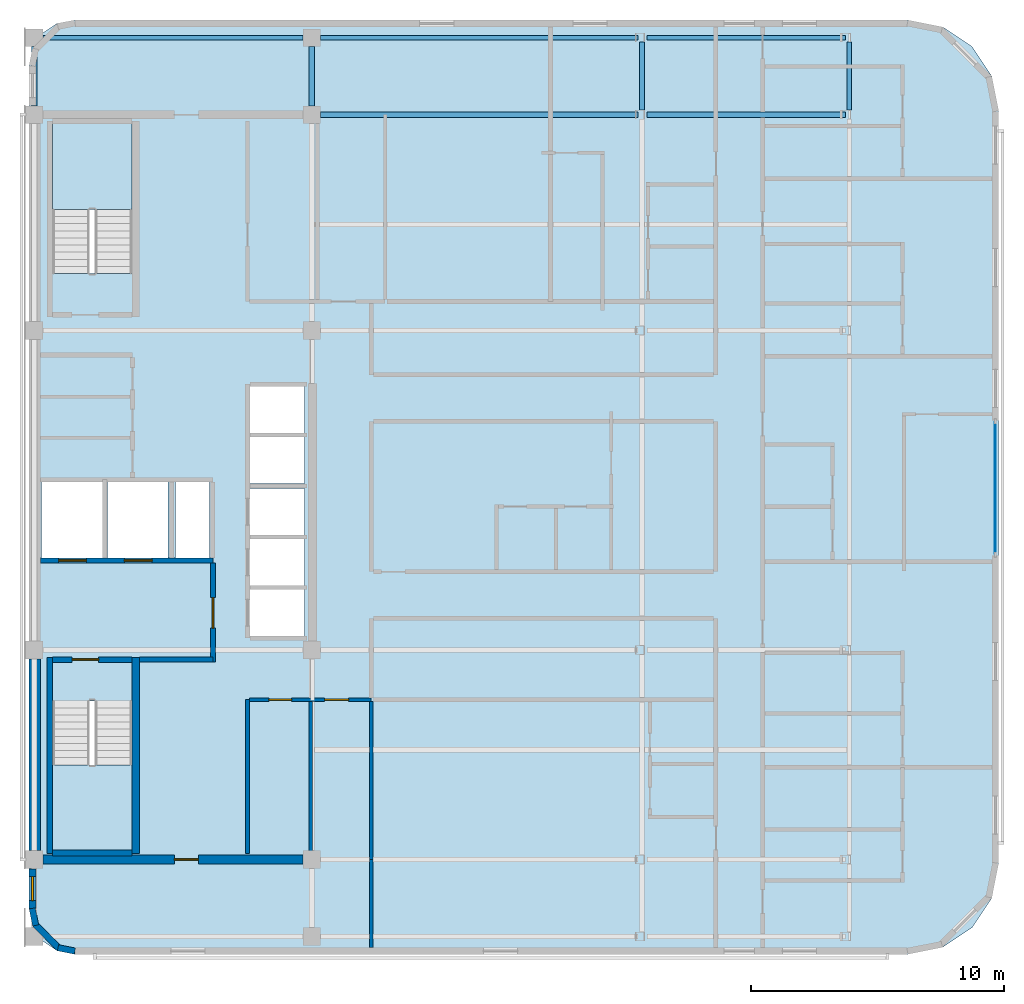
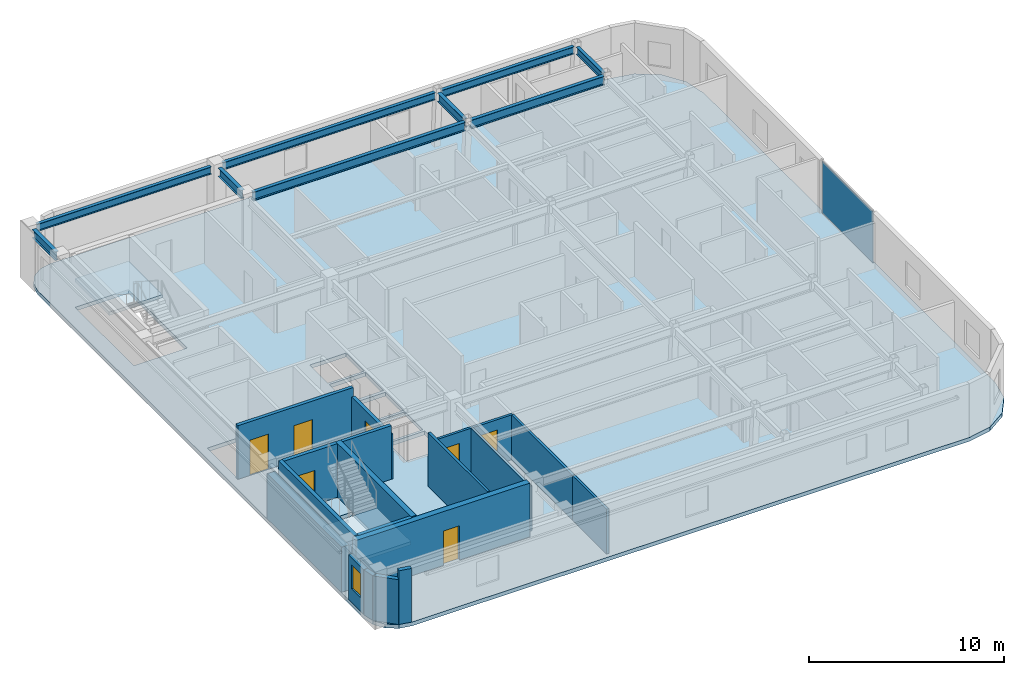
# One storey, part 3 of 10: 18 walls, 9 beams, 7 doors, 3 slabs, 1 plate, 1 window, 8 openings, 3 elements without a shape of their own.
"""IFC4 building model written with IfcOpenShell, lengths in metres."""

import ifcopenshell
import ifcopenshell.guid

model = None  # the IFC model being written
_history = None  # IfcOwnerHistory: only IFC2X3 demands one
_inside = {}  # id of a spatial element -> (the spatial element, [elements in it])
_under = {}  # id of a project, library or spatial element -> (it, [spatial elements below it])
_declared = {}  # id of a project -> (the project, [libraries it declares])
_typed = {}  # id of a type object -> (the type object, [elements of that type])
_made_of = {}  # id of a material, layer set ... -> (it, [elements and type objects made of it])


def new_model(schema):
    """Start an empty IFC model of exactly this schema.

    Asked for "IFC4X3", IfcOpenShell would pick the latest addendum, in which some entities
    have other attributes; the version numbers below select the first issue.
    IFC2X3 requires an IfcOwnerHistory on every rooted entity: one is made here for all.
    """
    global model, _history
    if schema == "IFC4X3":
        model = ifcopenshell.file(schema_version=(4, 3, 0, 0))
    else:
        model = ifcopenshell.file(schema=schema)
    _inside.clear()
    _under.clear()
    _declared.clear()
    _typed.clear()
    _made_of.clear()
    _history = None
    if model.schema == "IFC2X3":
        org = make("IfcOrganization", Name="unknown")
        user = make(
            "IfcPersonAndOrganization",
            ThePerson=make("IfcPerson", FamilyName="unknown"),
            TheOrganization=org,
        )
        app = make(
            "IfcApplication",
            ApplicationDeveloper=org,
            Version="unknown",
            ApplicationFullName="unknown",
            ApplicationIdentifier="unknown",
        )
        _history = make(
            "IfcOwnerHistory",
            OwningUser=user,
            OwningApplication=app,
            ChangeAction="ADDED",
            CreationDate=0,
        )
    return model


def make(cls, **values):
    """One entity of the class cls with the attributes given. An attribute that is None is left unset."""
    return model.create_entity(
        cls, **{name: value for name, value in values.items() if value is not None}
    )


def rooted(cls, **values):
    """An entity with a GlobalId (a new one), such as an element, a storey or a relation."""
    return make(cls, GlobalId=ifcopenshell.guid.new(), OwnerHistory=_history, **values)


def si_unit(unit_type, name, prefix=None):
    """IfcSIUnit, for example si_unit("LENGTHUNIT", "METRE", prefix="MILLI")."""
    return make("IfcSIUnit", UnitType=unit_type, Prefix=prefix, Name=name)


def assignment(units):
    """IfcUnitAssignment: the units of a project."""
    return None if units is None else make("IfcUnitAssignment", Units=units)


def point(xyz):
    """IfcCartesianPoint."""
    return None if xyz is None else make("IfcCartesianPoint", Coordinates=xyz)


def direction(xyz):
    """IfcDirection."""
    return None if xyz is None else make("IfcDirection", DirectionRatios=xyz)


def frame(location, z_axis=None, x_axis=None):
    """IfcAxis2Placement3D, a coordinate frame: its origin and axes. An axis left out is left unset."""
    return make(
        "IfcAxis2Placement3D",
        Location=point(location),
        Axis=direction(z_axis),
        RefDirection=direction(x_axis),
    )


def frame_2d(location, x_axis=None):
    """IfcAxis2Placement2D, a coordinate frame in the plane: its origin and x axis."""
    return make(
        "IfcAxis2Placement2D", Location=point(location), RefDirection=direction(x_axis)
    )


def origin():
    """The frame at (0, 0, 0) with its axes left unset."""
    return frame((0.0, 0.0, 0.0))


def origin_2d():
    """The frame at (0, 0) in the plane with its x axis left unset."""
    return frame_2d((0.0, 0.0))


def place(relative_to, where):
    """IfcLocalPlacement: puts the frame where relative to a parent placement (None: the world)."""
    return make(
        "IfcLocalPlacement", PlacementRelTo=relative_to, RelativePlacement=where
    )


def context(
    kind, dimensions, precision=None, world=None, true_north=None, identifier=None
):
    """IfcGeometricRepresentationContext, for example the 3D "Model" context."""
    return make(
        "IfcGeometricRepresentationContext",
        ContextIdentifier=identifier,
        ContextType=kind,
        CoordinateSpaceDimension=dimensions,
        Precision=precision,
        WorldCoordinateSystem=world,
        TrueNorth=true_north,
    )


def subcontext(parent, identifier, kind, view, scale=None):
    """IfcGeometricRepresentationSubContext, for example "Body" below "Model"."""
    return make(
        "IfcGeometricRepresentationSubContext",
        ContextIdentifier=identifier,
        ContextType=kind,
        ParentContext=parent,
        TargetScale=scale,
        TargetView=view,
    )


def project(units=None, contexts=None):
    """IfcProject with its units and contexts."""
    return rooted(
        "IfcProject",
        Name="project",
        RepresentationContexts=contexts,
        UnitsInContext=assignment(units),
    )


def spatial(cls, under=None, at=None, **own):
    """A site, building, storey or space (cls), placed at a placement, below another one or the project."""
    s = rooted(cls, ObjectPlacement=at, **own)
    if under is not None:
        _under.setdefault(under.id(), (under, []))[1].append(s)
    return s


def polyline(points):
    """IfcPolyline through the points."""
    return make("IfcPolyline", Points=[point(p) for p in points])


def profile(cls, at=None, kind="AREA", **sizes):
    """A parametric profile (cls). Its sizes go by their IFC names, for example OverallWidth=200.0."""
    return make(cls, ProfileType=kind, Position=at, **sizes)


def rectangle(**sizes):
    """IfcRectangleProfileDef."""
    return profile("IfcRectangleProfileDef", **sizes)


def i_section(**sizes):
    """IfcIShapeProfileDef."""
    return profile("IfcIShapeProfileDef", **sizes)


def outline(outer, holes=None, kind="AREA"):
    """IfcArbitraryClosedProfileDef: a profile drawn as a closed curve; with holes, ...WithVoids."""
    if holes is None:
        return make("IfcArbitraryClosedProfileDef", ProfileType=kind, OuterCurve=outer)
    return make(
        "IfcArbitraryProfileDefWithVoids",
        ProfileType=kind,
        OuterCurve=outer,
        InnerCurves=holes,
    )


def extrude(swept, where, along, depth):
    """IfcExtrudedAreaSolid: the profile swept, set in the frame where, extruded along a direction by depth."""
    return make(
        "IfcExtrudedAreaSolid",
        SweptArea=swept,
        Position=where,
        ExtrudedDirection=direction(along),
        Depth=depth,
    )


def shape(context_of_items, identifier, shape_type, items):
    """IfcShapeRepresentation: the items that make up one representation, for example the "Body"."""
    return make(
        "IfcShapeRepresentation",
        ContextOfItems=context_of_items,
        RepresentationIdentifier=identifier,
        RepresentationType=shape_type,
        Items=items,
    )


def material(Name=None, Category=None):
    """IfcMaterial."""
    return make("IfcMaterial", Name=Name, Category=Category)


def layer(
    of_material, thickness, ventilated=None, Name=None, Category=None, Priority=None
):
    """IfcMaterialLayer: one layer of a wall or slab, of a material (None: an air gap)."""
    return make(
        "IfcMaterialLayer",
        Material=of_material,
        LayerThickness=thickness,
        IsVentilated=ventilated,
        Name=Name,
        Category=Category,
        Priority=Priority,
    )


def layer_set(layers, Name=None):
    """IfcMaterialLayerSet."""
    return make("IfcMaterialLayerSet", MaterialLayers=layers, LayerSetName=Name)


def material_profile(
    of_material, cross_section, Name=None, Category=None, Priority=None
):
    """IfcMaterialProfile: a cross section and its material."""
    return make(
        "IfcMaterialProfile",
        Name=Name,
        Material=of_material,
        Profile=cross_section,
        Priority=Priority,
        Category=Category,
    )


def profile_set(profiles, Name=None, composite=None):
    """IfcMaterialProfileSet."""
    return make(
        "IfcMaterialProfileSet",
        Name=Name,
        MaterialProfiles=profiles,
        CompositeProfile=composite,
    )


def made_of(thing, what):
    """Note that an element or type object is made of a material, layer set ...; save() writes the relation."""
    if what is not None:
        _made_of.setdefault(what.id(), (what, []))[1].append(thing)
    return thing


def type_object(cls, material=None, **own):
    """A type object (cls), such as IfcWallType, which elements share."""
    return made_of(rooted(cls, **own), material)


def element(
    cls,
    number,
    at=None,
    inside=None,
    cuts=None,
    type_object=None,
    material=None,
    context=None,
    identifier="Body",
    shape_type=None,
    held_by="IfcProductDefinitionShape",
    body=None,
    shapes=None,
    **own,
):
    """One element of the class cls, such as IfcWall. Its Tag is "e" and its number.

    at: its placement. inside: the storey or other place that contains it. cuts: it is an
    opening in that element (IfcRelVoidsElement). A single representation is given by context,
    identifier, shape_type and body (its items); several are given by shapes. held_by: the class
    of the entity that holds the representations. save() writes the other relations.
    """
    e = rooted(cls, Tag="e%d" % number, ObjectPlacement=at, **own)
    if body is not None:
        shapes = [shape(context, identifier, shape_type, body)]
    if shapes is not None:
        e.Representation = make(held_by, Representations=shapes)
    if inside is not None:
        _inside.setdefault(inside.id(), (inside, []))[1].append(e)
    if cuts is not None:
        rooted(
            "IfcRelVoidsElement", RelatingBuildingElement=cuts, RelatedOpeningElement=e
        )
    if type_object is not None:
        _typed.setdefault(type_object.id(), (type_object, []))[1].append(e)
    return made_of(e, material)


def fill(opening, filler):
    """IfcRelFillsElement: the door or window that sits in an opening."""
    return rooted(
        "IfcRelFillsElement",
        RelatingOpeningElement=opening,
        RelatedBuildingElement=filler,
    )


def aggregate(whole, parts):
    """IfcRelAggregates: a whole, such as a stair, and the parts it consists of."""
    return rooted("IfcRelAggregates", RelatingObject=whole, RelatedObjects=parts)


def save(model, path):
    """Write the relations noted so far, then the file.

    IfcRelAggregates (storeys below a building ...), IfcRelContainedInSpatialStructure (elements
    in a storey), IfcRelDefinesByType, IfcRelAssociatesMaterial and IfcRelDeclares: one each for
    every whole, place, type object, material and project.
    """
    for whole, parts in _under.values():
        aggregate(whole, parts)
    for where, things in _inside.values():
        rooted(
            "IfcRelContainedInSpatialStructure",
            RelatedElements=things,
            RelatingStructure=where,
        )
    for kind, things in _typed.values():
        rooted("IfcRelDefinesByType", RelatedObjects=things, RelatingType=kind)
    for what, things in _made_of.values():
        rooted("IfcRelAssociatesMaterial", RelatedObjects=things, RelatingMaterial=what)
    for by, libraries in _declared.values():
        rooted("IfcRelDeclares", RelatingContext=by, RelatedDefinitions=libraries)
    model.write(path)


model = new_model("IFC4")

# Units and contexts
model_context = context("Model", 3, precision=1e-05, world=origin(), true_north=direction((0.0, 1.0)))
body_context = subcontext(model_context, "Body", "Model", "MODEL_VIEW")
ifc_project = project(units=[si_unit("LENGTHUNIT", "METRE"), si_unit("AREAUNIT", "SQUARE_METRE"), si_unit("VOLUMEUNIT", "CUBIC_METRE"), si_unit("PLANEANGLEUNIT", "RADIAN"), si_unit("MASSUNIT", "GRAM", prefix="KILO")], contexts=[model_context])

# Site, building, storey
site_placement = place(None, origin())
site = spatial("IfcSite", under=ifc_project, at=site_placement, CompositionType="ELEMENT")
building_placement = place(site_placement, origin())
building = spatial("IfcBuilding", under=site, at=building_placement, Name="Ochreholt Gables", CompositionType="ELEMENT")
storey_placement = place(building_placement, frame((0.0, 0.0, 235.199951171875)))
storey = spatial("IfcBuildingStorey", under=building, at=storey_placement, Name="L61", CompositionType="ELEMENT", Elevation=235.199951171875)

# Beams
ifc_material_1 = material(Name="Steel CSA G40.21 350W", Category="steel")
ifc_material_profile_1 = material_profile(ifc_material_1, i_section(OverallWidth=0.2109375, OverallDepth=0.5390625, WebThickness=0.01171875, FlangeThickness=0.018798828125, at=origin_2d()), Name="W530X109")
ifc_profile_set_1 = profile_set([ifc_material_profile_1], Name="Steel CSA G40.21 350W")
beam_type_1 = type_object("IfcBeamType", Name="BM-G-W530A", PredefinedType="BEAM", material=ifc_profile_set_1)
beam_1_placement = place(storey_placement, frame((35.549560546875, 38.75, 3.090576171875), z_axis=(1.0, 0.0, 0.0), x_axis=(0.0, 1.0, 0.0)))
element("IfcBeam", 1, at=beam_1_placement, inside=storey, type_object=beam_type_1, Name="L61 Beam TBG-L61-C2EM-Y5", PredefinedType="BEAM", context=body_context, shape_type="SweptSolid", body=[
    extrude(i_section(OverallWidth=0.2109375, OverallDepth=0.5390625, WebThickness=0.01171875, FlangeThickness=0.018798828125, at=origin_2d()), origin(), (0.0, 0.0, 1.0), 12.56689453125),
])
beam_2_placement = place(storey_placement, frame((48.4716796875, 38.75, 3.090576171875), z_axis=(1.0, 0.0, 0.0), x_axis=(0.0, 1.0, 0.0)))
element("IfcBeam", 2, at=beam_2_placement, inside=storey, type_object=beam_type_1, Name="L61 Beam TBG-L61-EMEE-Y5", PredefinedType="BEAM", context=body_context, shape_type="SweptSolid", body=[
    extrude(i_section(OverallWidth=0.2109375, OverallDepth=0.5390625, WebThickness=0.01171875, FlangeThickness=0.018798828125, at=origin_2d()), origin(), (0.0, 0.0, 1.0), 7.85791015625),
])
for number, where, z_axis, x_axis, name in (
    (3, (24.199951171875, 39.099609375, 3.090576171875), (0.0, 1.0, 0.0), (-1.0, 0.0, 0.0), "L61 Beam TBN-L61-C1-Y5Y6"),
    (4, (35.199951171875, 39.099609375, 3.090576171875), (0.0, 1.0, 0.0), (-1.0, 0.0, 0.0), "L61 Beam TBN-L61-C2-Y5Y6"),
):
    element("IfcBeam", number, at=place(storey_placement, frame(where, z_axis=z_axis, x_axis=x_axis)), inside=storey, type_object=beam_type_1, Name=name, PredefinedType="BEAM", context=body_context, shape_type="SweptSolid", body=[
        extrude(i_section(OverallWidth=0.2109375, OverallDepth=0.5390625, WebThickness=0.01171875, FlangeThickness=0.018798828125, at=origin_2d()), origin(), (0.0, 0.0, 1.0), 2.350830078125),
    ])
beam_3_placement = place(storey_placement, frame((48.27685546875, 38.927490234375, 3.090576171875), z_axis=(0.0, 1.0, 0.0), x_axis=(-1.0, 0.0, 0.0)))
element("IfcBeam", 5, at=beam_3_placement, inside=storey, type_object=beam_type_1, Name="L61 Beam TBN-L61-EM-Y5Y6", PredefinedType="BEAM", context=body_context, shape_type="SweptSolid", body=[
    extrude(i_section(OverallWidth=0.2109375, OverallDepth=0.5390625, WebThickness=0.01171875, FlangeThickness=0.018798828125, at=origin_2d()), origin(), (0.0, 0.0, 1.0), 2.69482421875),
])
ifc_material_profile_2 = material_profile(ifc_material_1, i_section(OverallWidth=0.19189453125, OverallDepth=0.462890625, WebThickness=0.010498046875, FlangeThickness=0.017578125, at=origin_2d()), Name="W460X89")
ifc_profile_set_2 = profile_set([ifc_material_profile_2], Name="Steel CSA G40.21 350W")
beam_type_2 = type_object("IfcBeamType", Name="BM-SP-W460A", PredefinedType="SPANDREL", material=ifc_profile_set_2)
beam_4_placement = place(storey_placement, frame((24.549560546875, 41.800048828125, 3.128662109375), z_axis=(1.0, 0.0, 0.0), x_axis=(0.0, 1.0, 0.0)))
element("IfcBeam", 6, at=beam_4_placement, inside=storey, type_object=beam_type_2, Name="L61 Beam TBG-L61-C1C2-Y6", PredefinedType="SPANDREL", context=body_context, shape_type="SweptSolid", body=[
    extrude(i_section(OverallWidth=0.19189453125, OverallDepth=0.462890625, WebThickness=0.010498046875, FlangeThickness=0.017578125, at=origin_2d()), origin(), (0.0, 0.0, 1.0), 10.30078125),
])
beam_5_placement = place(storey_placement, frame((35.549560546875, 41.800048828125, 3.128662109375), z_axis=(1.0, 0.0, 0.0), x_axis=(0.0, 1.0, 0.0)))
element("IfcBeam", 7, at=beam_5_placement, inside=storey, type_object=beam_type_2, Name="L61 Beam TBG-L61-C2EM-Y6", PredefinedType="SPANDREL", context=body_context, shape_type="SweptSolid", body=[
    extrude(i_section(OverallWidth=0.19189453125, OverallDepth=0.462890625, WebThickness=0.010498046875, FlangeThickness=0.017578125, at=origin_2d()), origin(), (0.0, 0.0, 1.0), 12.56689453125),
])
beam_6_placement = place(storey_placement, frame((48.4716796875, 41.800048828125, 3.128662109375), z_axis=(1.0, 0.0, 0.0), x_axis=(0.0, 1.0, 0.0)))
element("IfcBeam", 8, at=beam_6_placement, inside=storey, type_object=beam_type_2, Name="L61 Beam TBG-L61-EMEE-Y6", PredefinedType="SPANDREL", context=body_context, shape_type="SweptSolid", body=[
    extrude(i_section(OverallWidth=0.19189453125, OverallDepth=0.462890625, WebThickness=0.010498046875, FlangeThickness=0.017578125, at=origin_2d()), origin(), (0.0, 0.0, 1.0), 7.85791015625),
])
beam_7_placement = place(storey_placement, frame((56.478759765625, 38.927490234375, 3.128662109375), z_axis=(0.0, 1.0, 0.0), x_axis=(-1.0, 0.0, 0.0)))
element("IfcBeam", 9, at=beam_7_placement, inside=storey, type_object=beam_type_2, Name="L61 Beam TBN-L61-EE-Y5Y6", PredefinedType="SPANDREL", context=body_context, shape_type="SweptSolid", body=[
    extrude(i_section(OverallWidth=0.19189453125, OverallDepth=0.462890625, WebThickness=0.010498046875, FlangeThickness=0.017578125, at=origin_2d()), origin(), (0.0, 0.0, 1.0), 2.69482421875),
])

# Curtain wall, plate
ifc_material_2 = material(Name="Unitised Aluminium and Triple Glazing", Category="aluminium")
ifc_layer_1 = layer(ifc_material_2, 0.2099609375, Name="Unitised Aluminium and Triple Glazing")
ifc_layer_set_1 = layer_set([ifc_layer_1], Name="Unitised Aluminium and Triple Glazing")
curtain_wall_type = type_object("IfcCurtainWallType", Name="CW-SYS5", PredefinedType="NOTDEFINED", material=ifc_layer_set_1)
curtain_wall_placement = place(storey_placement, origin())
curtain_wall = element("IfcCurtainWall", 10, at=curtain_wall_placement, inside=storey, type_object=curtain_wall_type, Name="L61 East Unitised Curtain Wall", PredefinedType="NOTDEFINED")
ifc_material_3 = material(Name="Triple Low-E Insulating Glass", Category="glass")
ifc_layer_2 = layer(ifc_material_3, 0.0380859375, Name="Triple Low-E Insulating Glass")
ifc_layer_set_2 = layer_set([ifc_layer_2], Name="Triple Low-E Insulating Glass")
plate_type = type_object("IfcPlateType", Name="CW-PNL-38", PredefinedType="CURTAIN_PANEL", material=ifc_layer_set_2)
plate_placement = place(storey_placement, frame((62.264892578125, 23.965087890625, 0.074951171875), z_axis=(0.0, 0.0, 1.0), x_axis=(0.0, 1.0, 0.0)))
plate = element("IfcPlate", 11, at=plate_placement, type_object=plate_type, Name="CW-5 panel 1.1", PredefinedType="CURTAIN_PANEL", context=body_context, shape_type="SweptSolid", body=[
    extrude(rectangle(XDim=5.199951171875, YDim=0.0380859375, at=origin_2d()), origin(), (0.0, 0.0, 1.0), 3.2099609375),
])
aggregate(curtain_wall, [plate])

# Stair, slab
ifc_material_4 = material(Name="Concrete 40 MPa", Category="concrete")
stair_type_1 = type_object("IfcStairType", Name="STAIR-CORE-ST-1", PredefinedType="HALF_TURN_STAIR", material=ifc_material_4)
stair_1_placement = place(storey_placement, origin())
stair_1 = element("IfcStair", 12, at=stair_1_placement, inside=storey, type_object=stair_type_1, Name="L61 Core Exit Stair 1", PredefinedType="HALF_TURN_STAIR")
ifc_layer_3 = layer(ifc_material_4, 0.199951171875, Name="Concrete 40 MPa")
ifc_layer_set_3 = layer_set([ifc_layer_3], Name="Concrete 40 MPa")
slab_type_1 = type_object("IfcSlabType", Name="LANDING-RC200", PredefinedType="LANDING", material=ifc_layer_set_3)
slab_1_placement = place(storey_placement, frame((0.0, 0.0, 1.60009765625)))
slab_1 = element("IfcSlab", 13, at=slab_1_placement, type_object=slab_type_1, Name="ST-1 landing 1", PredefinedType="LANDING", context=body_context, shape_type="SweptSolid", body=[
    extrude(outline(polyline([(24.919921875, 13.001953125), (24.919921875, 9.52001953125), (28.080078125, 9.52001953125), (28.080078125, 13.001953125), (24.919921875, 13.001953125)])), origin(), (0.0, 0.0, 1.0), 0.199951171875),
])
aggregate(stair_1, [slab_1])

stair_type_2 = type_object("IfcStairType", Name="STAIR-CORE-ST-2", PredefinedType="HALF_TURN_STAIR", material=ifc_material_4)
stair_2_placement = place(storey_placement, origin())
stair_2 = element("IfcStair", 14, at=stair_2_placement, inside=storey, type_object=stair_type_2, Name="L61 Core Exit Stair 2", PredefinedType="HALF_TURN_STAIR")
slab_2_placement = place(storey_placement, frame((0.0, 0.0, 1.60009765625)))
slab_2 = element("IfcSlab", 15, at=slab_2_placement, type_object=slab_type_1, Name="ST-2 landing 1", PredefinedType="LANDING", context=body_context, shape_type="SweptSolid", body=[
    extrude(outline(polyline([(28.080078125, 34.998046875), (28.080078125, 38.47998046875), (24.919921875, 38.47998046875), (24.919921875, 34.998046875), (28.080078125, 34.998046875)])), origin(), (0.0, 0.0, 1.0), 0.199951171875),
])
aggregate(stair_2, [slab_2])

# Slab
ifc_layer_4 = layer(ifc_material_4, 0.239990234375, Name="Concrete 40 MPa")
ifc_layer_set_4 = layer_set([ifc_layer_4], Name="Concrete 40 MPa")
slab_type_2 = type_object("IfcSlabType", Name="SLAB-TWR-240", PredefinedType="FLOOR", material=ifc_layer_set_4)
slab_3_placement = place(storey_placement, frame((0.0, 0.0, -0.239990234375)))
element("IfcSlab", 16, at=slab_3_placement, inside=storey, type_object=slab_type_2, Name="L61 Structural Floor Slab", PredefinedType="FLOOR", context=body_context, shape_type="SweptSolid", body=[
    extrude(outline(polyline([(24.0, 7.300048828125), (24.136962890625, 6.611083984375), (24.527099609375, 6.027099609375), (25.111083984375, 5.636962890625), (25.800048828125, 5.5), (58.800048828125, 5.5), (60.177734375, 5.77392578125), (61.345703125, 6.554443359375), (62.1259765625, 7.722412109375), (62.39990234375, 9.10009765625), (62.39990234375, 38.89990234375), (62.1259765625, 40.277587890625), (61.345703125, 41.445556640625), (60.177734375, 42.22607421875), (58.800048828125, 42.5), (25.800048828125, 42.5), (25.111083984375, 42.363037109375), (24.527099609375, 41.972900390625), (24.136962890625, 41.388916015625), (24.0, 40.699951171875), (24.0, 7.300048828125)]), holes=[polyline([(24.919921875, 15.539306640625), (24.919921875, 9.52001953125), (28.080078125, 9.52001953125), (28.080078125, 15.539306640625), (24.919921875, 15.539306640625)]), polyline([(28.080078125, 32.460693359375), (28.080078125, 38.47998046875), (24.919921875, 38.47998046875), (24.919921875, 32.460693359375), (28.080078125, 32.460693359375)]), polyline([(24.5, 21.199951171875), (26.89990234375, 21.199951171875), (26.89990234375, 24.199951171875), (24.5, 24.199951171875), (24.5, 21.199951171875)]), polyline([(27.10009765625, 21.199951171875), (29.5, 21.199951171875), (29.5, 24.199951171875), (27.10009765625, 24.199951171875), (27.10009765625, 21.199951171875)]), polyline([(32.75, 18.10009765625), (34.89990234375, 18.10009765625), (34.89990234375, 19.949951171875), (32.75, 19.949951171875), (32.75, 18.10009765625)]), polyline([(32.75, 20.10009765625), (34.89990234375, 20.10009765625), (34.89990234375, 21.949951171875), (32.75, 21.949951171875), (32.75, 20.10009765625)]), polyline([(32.75, 22.10009765625), (34.89990234375, 22.10009765625), (34.89990234375, 23.949951171875), (32.75, 23.949951171875), (32.75, 22.10009765625)]), polyline([(32.75, 24.14990234375), (34.89990234375, 24.14990234375), (34.89990234375, 26.0), (32.75, 26.0), (32.75, 24.14990234375)]), polyline([(32.75, 26.14990234375), (34.89990234375, 26.14990234375), (34.89990234375, 28.0), (32.75, 28.0), (32.75, 26.14990234375)]), polyline([(29.800048828125, 21.199951171875), (31.14990234375, 21.199951171875), (31.14990234375, 24.199951171875), (29.800048828125, 24.199951171875), (29.800048828125, 21.199951171875)])]), origin(), (0.0, 0.0, 1.0), 0.239990234375),
])

# Wall, opening, door
ifc_material_5 = material(Name="Concrete 50 MPa", Category="concrete")
ifc_layer_5 = layer(ifc_material_5, 0.35009765625, Name="Concrete 50 MPa")
ifc_layer_set_5 = layer_set([ifc_layer_5], Name="Concrete 50 MPa")
wall_type_1 = type_object("IfcWallType", Name="WALL-CSW-350", PredefinedType="SHEAR", material=ifc_layer_set_5)
wall_1_placement = place(storey_placement, frame((24.550048828125, 9.25, 0.0), z_axis=(0.0, 0.0, 1.0), x_axis=(1.0, 0.0, 0.0)))
wall_1 = element("IfcWall", 17, at=wall_1_placement, inside=storey, type_object=wall_type_1, Name="L61 Core South Shear Wall", PredefinedType="SHEAR", context=body_context, shape_type="SweptSolid", body=[
    extrude(rectangle(XDim=10.300048828125, YDim=0.35009765625, at=frame_2d((5.14990234375, 0.0))), origin(), (0.0, 0.0, 1.0), 3.360107421875),
])
opening_1_placement = place(wall_1_placement, frame((5.199951171875, 0.0, 0.0)))
opening_1 = element("IfcOpeningElement", 18, at=opening_1_placement, cuts=wall_1, Name="Opening D-FL2", PredefinedType="OPENING", context=body_context, shape_type="SweptSolid", body=[
    extrude(rectangle(XDim=0.949951171875, YDim=2.14990234375, at=frame_2d((0.47509765625, 1.074951171875))), frame((0.0, 0.18505859375, 0.0), z_axis=(0.0, -1.0, 0.0), x_axis=(1.0, 0.0, 0.0)), (0.0, 0.0, 1.0), 0.3701171875),
])
ifc_material_6 = material(Name="Hollow Metal Steel", Category="steel")
door_type_1 = type_object("IfcDoorType", Name="DR-INT-FLB950", OperationType="NOTDEFINED", PredefinedType="DOOR", material=ifc_material_6)
door_1_placement = place(opening_1_placement, frame((0.949951171875, 0.0, 0.0), z_axis=(0.0, 0.0, 1.0), x_axis=(-1.0, 0.0, 0.0)))
door_1 = element("IfcDoor", 19, at=door_1_placement, inside=storey, type_object=door_type_1, Name="L61 Door D-C3SSL-L61", OperationType="SINGLE_SWING_LEFT", OverallHeight=2.14990234375, OverallWidth=0.949951171875, PredefinedType="DOOR", context=body_context, shape_type="SweptSolid", body=[
    extrude(rectangle(XDim=0.949951171875, YDim=2.14990234375, at=frame_2d((0.47509765625, 1.074951171875))), frame((0.0, 0.02490234375, 0.0), z_axis=(0.0, -1.0, 0.0), x_axis=(1.0, 0.0, 0.0)), (0.0, 0.0, 1.0), 0.050048828125),
])
fill(opening_1, door_1)

# Wall
ifc_layer_6 = layer(ifc_material_5, 0.449951171875, Name="Concrete 50 MPa")
ifc_layer_set_6 = layer_set([ifc_layer_6], Name="Concrete 50 MPa")
wall_type_2 = type_object("IfcWallType", Name="WALL-CSW-EXT", PredefinedType="SHEAR", material=ifc_layer_set_6)
wall_2_placement = place(storey_placement, frame((24.22509765625, 9.60009765625, 0.0), z_axis=(0.0, 0.0, 1.0), x_axis=(0.0, 1.0, 0.0)))
element("IfcWall", 20, at=wall_2_placement, inside=storey, type_object=wall_type_2, Name="L61 Core West Shear Wall WS", PredefinedType="SHEAR", context=body_context, shape_type="SweptSolid", body=[
    extrude(rectangle(XDim=7.599853515625, YDim=0.449951171875, at=frame_2d((3.7998046875, 0.0))), origin(), (0.0, 0.0, 1.0), 2.821044921875),
])

# Wall, opening, window
ifc_material_7 = material(Name="Precast concrete 40 MPa", Category="concrete")
ifc_layer_7 = layer(ifc_material_7, 0.27001953125, Name="Precast concrete 40 MPa")
ifc_layer_set_7 = layer_set([ifc_layer_7], Name="Precast concrete 40 MPa")
wall_type_3 = type_object("IfcWallType", Name="WALL-EXT-270", PredefinedType="SOLIDWALL", material=ifc_layer_set_7)
wall_3_placement = place(storey_placement, frame((24.135009765625, 7.320068359375, 0.0), z_axis=(0.0, 0.0, 1.0), x_axis=(0.0, 1.0, 0.0)))
wall_3 = element("IfcWall", 21, at=wall_3_placement, inside=storey, type_object=wall_type_3, Name="L61 West Facade South Bay Wall", PredefinedType="SOLIDWALL", context=body_context, shape_type="SweptSolid", body=[
    extrude(rectangle(XDim=1.559814453125, YDim=0.27001953125, at=frame_2d((0.77978515625, 0.0))), origin(), (0.0, 0.0, 1.0), 2.802978515625),
])
opening_2_placement = place(wall_3_placement, frame((0.304931640625, 0.0, 0.85009765625)))
opening_2 = element("IfcOpeningElement", 22, at=opening_2_placement, cuts=wall_3, Name="Opening WN-10", PredefinedType="OPENING", context=body_context, shape_type="SweptSolid", body=[
    extrude(rectangle(XDim=0.949951171875, YDim=1.5, at=frame_2d((0.47509765625, 0.75))), frame((0.0, 0.14501953125, 0.0), z_axis=(0.0, -1.0, 0.0), x_axis=(1.0, 0.0, 0.0)), (0.0, 0.0, 1.0), 0.2900390625),
])
ifc_material_8 = material(Name="Triple-Glazed Thermally Broken Aluminium Window", Category="aluminium")
window_type = type_object("IfcWindowType", Name="WIN-RES-950", PartitioningType="SINGLE_PANEL", PredefinedType="WINDOW", material=ifc_material_8)
window_placement = place(opening_2_placement, origin())
window = element("IfcWindow", 23, at=window_placement, inside=storey, type_object=window_type, Name="L61 South Sky Lounge West Window", OverallHeight=1.5, OverallWidth=0.949951171875, PartitioningType="SINGLE_PANEL", PredefinedType="WINDOW", context=body_context, shape_type="SweptSolid", body=[
    extrude(rectangle(XDim=0.949951171875, YDim=1.5, at=frame_2d((0.47509765625, 0.75))), frame((0.0, 0.030029296875, 0.0), z_axis=(0.0, -1.0, 0.0), x_axis=(1.0, 0.0, 0.0)), (0.0, 0.0, 1.0), 0.06005859375),
])
fill(opening_2, window)

# Walls
ifc_layer_8 = layer(ifc_material_7, 0.25, Name="Precast concrete 40 MPa")
ifc_layer_set_8 = layer_set([ifc_layer_8], Name="Precast concrete 40 MPa")
wall_type_4 = type_object("IfcWallType", Name="WALL-EXT-CNR", PredefinedType="SOLIDWALL", material=ifc_layer_set_8)
wall_4_placement = place(storey_placement, frame((24.124267578125, 7.31640625, 0.0), z_axis=(0.0, 0.0, 1.0), x_axis=(0.194952956674, -0.980812594069, 0.0)))
element("IfcWall", 24, at=wall_4_placement, inside=storey, type_object=wall_type_4, Name="L61 Rounded Corner Wall SW-1", PredefinedType="SOLIDWALL", context=body_context, shape_type="SweptSolid", body=[
    extrude(rectangle(XDim=0.686279296875, YDim=0.25, at=frame_2d((0.34326171875, 0.0))), origin(), (0.0, 0.0, 1.0), 2.802978515625),
])
wall_5_placement = place(storey_placement, frame((24.23095703125, 6.69384765625, 0.0), z_axis=(0.0, 0.0, 1.0), x_axis=(0.707106781187, -0.707106781187, 0.0)))
element("IfcWall", 25, at=wall_5_placement, inside=storey, type_object=wall_type_4, Name="L61 Rounded Corner Wall SW-2", PredefinedType="SOLIDWALL", context=body_context, shape_type="SweptSolid", body=[
    extrude(rectangle(XDim=1.36181640625, YDim=0.25, at=frame_2d((0.680908203125, 0.0))), origin(), (0.0, 0.0, 1.0), 2.802978515625),
])
wall_6_placement = place(storey_placement, frame((25.143310546875, 5.758056640625, 0.0), z_axis=(0.0, 0.0, 1.0), x_axis=(0.980812594069, -0.194952956674, 0.0)))
element("IfcWall", 26, at=wall_6_placement, inside=storey, type_object=wall_type_4, Name="L61 Rounded Corner Wall SW-3", PredefinedType="SOLIDWALL", context=body_context, shape_type="SweptSolid", body=[
    extrude(rectangle(XDim=0.686279296875, YDim=0.25, at=frame_2d((0.34326171875, 0.0))), origin(), (0.0, 0.0, 1.0), 3.360107421875),
])

# Wall, openings, doors
ifc_layer_9 = layer(ifc_material_4, 0.199951171875, Name="Concrete 40 MPa")
ifc_layer_set_9 = layer_set([ifc_layer_9], Name="Concrete 40 MPa")
wall_type_5 = type_object("IfcWallType", Name="WALL-INT-CF200", PredefinedType="STANDARD", material=ifc_layer_set_9)
wall_7_placement = place(storey_placement, frame((24.449951171875, 21.090087890625, 0.0), z_axis=(0.0, 0.0, 1.0), x_axis=(1.0, 0.0, 0.0)))
wall_7 = element("IfcWall", 27, at=wall_7_placement, inside=storey, type_object=wall_type_5, Name="L61 Interior Wall WI-FFN-L61", PredefinedType="STANDARD", context=body_context, shape_type="SweptSolid", body=[
    extrude(rectangle(XDim=6.830078125, YDim=0.199951171875, at=frame_2d((3.4150390625, 0.0))), origin(), (0.0, 0.0, 1.0), 3.360107421875),
])
opening_3_placement = place(wall_7_placement, frame((0.719970703125, 0.0, 0.0)))
opening_3 = element("IfcOpeningElement", 28, at=opening_3_placement, cuts=wall_7, Name="Opening LD-FF", PredefinedType="OPENING", context=body_context, shape_type="SweptSolid", body=[
    extrude(rectangle(XDim=1.10009765625, YDim=2.199951171875, at=frame_2d((0.550048828125, 1.10009765625))), frame((0.0, 0.10986328125, 0.0), z_axis=(0.0, -1.0, 0.0), x_axis=(1.0, 0.0, 0.0)), (0.0, 0.0, 1.0), 0.219970703125),
])
opening_4_placement = place(wall_7_placement, frame((3.320068359375, 0.0, 0.0)))
opening_4 = element("IfcOpeningElement", 29, at=opening_4_placement, cuts=wall_7, Name="Opening LD-FF", PredefinedType="OPENING", context=body_context, shape_type="SweptSolid", body=[
    extrude(rectangle(XDim=1.10009765625, YDim=2.199951171875, at=frame_2d((0.550048828125, 1.10009765625))), frame((0.0, 0.10986328125, 0.0), z_axis=(0.0, -1.0, 0.0), x_axis=(1.0, 0.0, 0.0)), (0.0, 0.0, 1.0), 0.219970703125),
])
ifc_material_9 = material(Name="Stainless Steel", Category="steel")
door_type_2 = type_object("IfcDoorType", Name="DR-LFT-FF1100", OperationType="NOTDEFINED", PredefinedType="DOOR", material=ifc_material_9)
door_2_placement = place(opening_3_placement, origin())
door_2 = element("IfcDoor", 30, at=door_2_placement, inside=storey, type_object=door_type_2, Name="L61 Door LD-FF1-L61", OperationType="SLIDING_TO_LEFT", OverallHeight=2.199951171875, OverallWidth=1.10009765625, PredefinedType="DOOR", context=body_context, shape_type="SweptSolid", body=[
    extrude(rectangle(XDim=1.10009765625, YDim=2.199951171875, at=frame_2d((0.550048828125, 1.10009765625))), frame((0.0, 0.02490234375, 0.0), z_axis=(0.0, -1.0, 0.0), x_axis=(1.0, 0.0, 0.0)), (0.0, 0.0, 1.0), 0.050048828125),
])
fill(opening_3, door_2)
door_3_placement = place(opening_4_placement, origin())
door_3 = element("IfcDoor", 31, at=door_3_placement, inside=storey, type_object=door_type_2, Name="L61 Door LD-FF2-L61", OperationType="SLIDING_TO_LEFT", OverallHeight=2.199951171875, OverallWidth=1.10009765625, PredefinedType="DOOR", context=body_context, shape_type="SweptSolid", body=[
    extrude(rectangle(XDim=1.10009765625, YDim=2.199951171875, at=frame_2d((0.550048828125, 1.10009765625))), frame((0.0, 0.02490234375, 0.0), z_axis=(0.0, -1.0, 0.0), x_axis=(1.0, 0.0, 0.0)), (0.0, 0.0, 1.0), 0.050048828125),
])
fill(opening_4, door_3)

# Wall
wall_8_placement = place(storey_placement, frame((28.3798828125, 17.169921875, 0.0), z_axis=(0.0, 0.0, 1.0), x_axis=(1.0, 0.0, 0.0)))
element("IfcWall", 32, at=wall_8_placement, inside=storey, type_object=wall_type_5, Name="L61 Interior Wall WI-FFS-L61", PredefinedType="STANDARD", context=body_context, shape_type="SweptSolid", body=[
    extrude(rectangle(XDim=2.900146484375, YDim=0.199951171875, at=frame_2d((1.4501953125, 0.0))), origin(), (0.0, 0.0, 1.0), 3.360107421875),
])

# Wall, opening, door
wall_9_placement = place(storey_placement, frame((31.280029296875, 17.070068359375, 0.0), z_axis=(0.0, 0.0, 1.0), x_axis=(0.0, 1.0, 0.0)))
wall_9 = element("IfcWall", 33, at=wall_9_placement, inside=storey, type_object=wall_type_5, Name="L61 Interior Wall WI-FFE-L61", PredefinedType="STANDARD", context=body_context, shape_type="SweptSolid", body=[
    extrude(rectangle(XDim=3.919921875, YDim=0.199951171875, at=frame_2d((1.9599609375, 0.0))), origin(), (0.0, 0.0, 1.0), 2.802978515625),
])
opening_5_placement = place(wall_9_placement, frame((1.35009765625, 0.0, 0.0)))
opening_5 = element("IfcOpeningElement", 34, at=opening_5_placement, cuts=wall_9, Name="Opening D-FFL", PredefinedType="OPENING", context=body_context, shape_type="SweptSolid", body=[
    extrude(rectangle(XDim=1.199951171875, YDim=2.14990234375, at=frame_2d((0.60009765625, 1.074951171875))), frame((0.0, 0.10986328125, 0.0), z_axis=(0.0, -1.0, 0.0), x_axis=(1.0, 0.0, 0.0)), (0.0, 0.0, 1.0), 0.219970703125),
])
door_type_3 = type_object("IfcDoorType", Name="DR-INT-FFL1200", OperationType="NOTDEFINED", PredefinedType="DOOR", material=ifc_material_6)
door_4_placement = place(opening_5_placement, origin())
door_4 = element("IfcDoor", 35, at=door_4_placement, inside=storey, type_object=door_type_3, Name="L61 Door D-FFL-L61", OperationType="SINGLE_SWING_LEFT", OverallHeight=2.14990234375, OverallWidth=1.199951171875, PredefinedType="DOOR", context=body_context, shape_type="SweptSolid", body=[
    extrude(rectangle(XDim=1.199951171875, YDim=2.14990234375, at=frame_2d((0.60009765625, 1.074951171875))), frame((0.0, 0.02490234375, 0.0), z_axis=(0.0, -1.0, 0.0), x_axis=(1.0, 0.0, 0.0)), (0.0, 0.0, 1.0), 0.050048828125),
])
fill(opening_5, door_4)

# Wall
ifc_material_10 = material(Name="Lightweight Stud Partition", Category="gypsum")
ifc_layer_10 = layer(ifc_material_10, 0.14501953125, Name="Lightweight Stud Partition")
ifc_layer_set_10 = layer_set([ifc_layer_10], Name="Lightweight Stud Partition")
wall_type_6 = type_object("IfcWallType", Name="WALL-INT-PT145", PredefinedType="PARTITIONING", material=ifc_layer_set_10)
wall_10_placement = place(storey_placement, frame((32.64990234375, 9.5, 0.0), z_axis=(0.0, 0.0, 1.0), x_axis=(0.0, 1.0, 0.0)))
element("IfcWall", 36, at=wall_10_placement, inside=storey, type_object=wall_type_6, Name="L61 Interior Wall WI-RCL-W-L61", PredefinedType="PARTITIONING", context=body_context, shape_type="SweptSolid", body=[
    extrude(rectangle(XDim=6.080078125, YDim=0.14501953125, at=frame_2d((3.0400390625, 0.0))), origin(), (0.0, 0.0, 1.0), 3.360107421875),
])

# Wall, openings, doors
wall_11_placement = place(storey_placement, frame((32.722412109375, 15.580078125, 0.0), z_axis=(0.0, 0.0, 1.0), x_axis=(1.0, 0.0, 0.0)))
wall_11 = element("IfcWall", 37, at=wall_11_placement, inside=storey, type_object=wall_type_6, Name="L61 Interior Wall WI-RCL-N-L61", PredefinedType="PARTITIONING", context=body_context, shape_type="SweptSolid", body=[
    extrude(rectangle(XDim=4.82763671875, YDim=0.14501953125, at=frame_2d((2.413818359375, 0.0))), origin(), (0.0, 0.0, 1.0), 2.802978515625),
])
opening_6_placement = place(wall_11_placement, frame((0.777587890625, 0.0, 0.0)))
opening_6 = element("IfcOpeningElement", 38, at=opening_6_placement, cuts=wall_11, Name="Opening D-SV1", PredefinedType="OPENING", context=body_context, shape_type="SweptSolid", body=[
    extrude(rectangle(XDim=0.89990234375, YDim=2.10009765625, at=frame_2d((0.449951171875, 1.050048828125))), frame((0.0, 0.08251953125, 0.0), z_axis=(0.0, -1.0, 0.0), x_axis=(1.0, 0.0, 0.0)), (0.0, 0.0, 1.0), 0.1650390625),
])
opening_7_placement = place(wall_11_placement, frame((2.9775390625, 0.0, 0.0)))
opening_7 = element("IfcOpeningElement", 39, at=opening_7_placement, cuts=wall_11, Name="Opening D-GN1", PredefinedType="OPENING", context=body_context, shape_type="SweptSolid", body=[
    extrude(rectangle(XDim=0.949951171875, YDim=2.14990234375, at=frame_2d((0.47509765625, 1.074951171875))), frame((0.0, 0.08251953125, 0.0), z_axis=(0.0, -1.0, 0.0), x_axis=(1.0, 0.0, 0.0)), (0.0, 0.0, 1.0), 0.1650390625),
])
ifc_material_11 = material(Name="Engineered Oak Timber", Category="wood")
door_type_4 = type_object("IfcDoorType", Name="DR-INT-GEN950", OperationType="NOTDEFINED", PredefinedType="DOOR", material=ifc_material_11)
door_5_placement = place(opening_7_placement, origin())
door_5 = element("IfcDoor", 40, at=door_5_placement, inside=storey, type_object=door_type_4, Name="L61 Door D-RCL2-L61", OperationType="SINGLE_SWING_RIGHT", OverallHeight=2.14990234375, OverallWidth=0.949951171875, PredefinedType="DOOR", context=body_context, shape_type="SweptSolid", body=[
    extrude(rectangle(XDim=0.949951171875, YDim=2.14990234375, at=frame_2d((0.47509765625, 1.074951171875))), frame((0.0, 0.02490234375, 0.0), z_axis=(0.0, -1.0, 0.0), x_axis=(1.0, 0.0, 0.0)), (0.0, 0.0, 1.0), 0.050048828125),
])
fill(opening_7, door_5)
door_type_5 = type_object("IfcDoorType", Name="DR-INT-SRV900", OperationType="NOTDEFINED", PredefinedType="DOOR", material=ifc_material_6)
door_6_placement = place(opening_6_placement, origin())
door_6 = element("IfcDoor", 41, at=door_6_placement, inside=storey, type_object=door_type_5, Name="L61 Door D-RCL1-L61", OperationType="SINGLE_SWING_LEFT", OverallHeight=2.10009765625, OverallWidth=0.89990234375, PredefinedType="DOOR", context=body_context, shape_type="SweptSolid", body=[
    extrude(rectangle(XDim=0.89990234375, YDim=2.10009765625, at=frame_2d((0.449951171875, 1.050048828125))), frame((0.0, 0.02490234375, 0.0), z_axis=(0.0, -1.0, 0.0), x_axis=(1.0, 0.0, 0.0)), (0.0, 0.0, 1.0), 0.050048828125),
])
fill(opening_6, door_6)

# Walls
wall_12_placement = place(storey_placement, frame((37.550048828125, 9.25, 0.0), z_axis=(0.0, 0.0, 1.0), x_axis=(0.0, 1.0, 0.0)))
element("IfcWall", 42, at=wall_12_placement, inside=storey, type_object=wall_type_6, Name="L61 Interior Wall WI-RCL-E-L61", PredefinedType="PARTITIONING", context=body_context, shape_type="SweptSolid", body=[
    extrude(rectangle(XDim=6.257568359375, YDim=0.14501953125, at=frame_2d((3.12890625, 0.0))), origin(), (0.0, 0.0, 1.0), 2.802978515625),
])
wall_13_placement = place(storey_placement, frame((35.14990234375, 9.5, 0.0), z_axis=(0.0, 0.0, 1.0), x_axis=(0.0, 1.0, 0.0)))
element("IfcWall", 43, at=wall_13_placement, inside=storey, type_object=wall_type_6, Name="L61 Interior Wall WI-RCL-DV-L61", PredefinedType="PARTITIONING", context=body_context, shape_type="SweptSolid", body=[
    extrude(rectangle(XDim=6.007568359375, YDim=0.14501953125, at=frame_2d((3.00390625, 0.0))), origin(), (0.0, 0.0, 1.0), 2.802978515625),
])
wall_14_placement = place(storey_placement, frame((37.550048828125, 5.77001953125, 0.0), z_axis=(0.0, 0.0, 1.0), x_axis=(0.0, 1.0, 0.0)))
element("IfcWall", 44, at=wall_14_placement, inside=storey, type_object=wall_type_6, Name="L61 Interior Wall WI-C3SMW-L61", PredefinedType="PARTITIONING", context=body_context, shape_type="SweptSolid", body=[
    extrude(rectangle(XDim=3.47998046875, YDim=0.14501953125, at=frame_2d((1.739990234375, 0.0))), origin(), (0.0, 0.0, 1.0), 2.802978515625),
])
ifc_material_12 = material(Name="Concrete 60 MPa", Category="concrete")
ifc_layer_11 = layer(ifc_material_12, 0.300048828125, Name="Concrete 60 MPa")
ifc_layer_set_11 = layer_set([ifc_layer_11], Name="Concrete 60 MPa")
wall_type_7 = type_object("IfcWallType", Name="WALL-SPN-300", PredefinedType="SHEAR", material=ifc_layer_set_11)
wall_15_placement = place(storey_placement, frame((28.22998046875, 9.5, 0.0), z_axis=(0.0, 0.0, 1.0), x_axis=(0.0, 1.0, 0.0)))
element("IfcWall", 45, at=wall_15_placement, inside=storey, type_object=wall_type_7, Name="L61 Core South Spine Shear Wall", PredefinedType="SHEAR", context=body_context, shape_type="SweptSolid", body=[
    extrude(rectangle(XDim=7.760009765625, YDim=0.300048828125, at=frame_2d((3.8798828125, 0.0))), origin(), (0.0, 0.0, 1.0), 3.360107421875),
])
ifc_layer_12 = layer(ifc_material_5, 0.219970703125, Name="Concrete 50 MPa")
ifc_layer_set_12 = layer_set([ifc_layer_12], Name="Concrete 50 MPa")
wall_type_8 = type_object("IfcWallType", Name="WALL-STW-220", PredefinedType="SHEAR", material=ifc_layer_set_12)
wall_16_placement = place(storey_placement, frame((24.81005859375, 9.5, 0.0), z_axis=(0.0, 0.0, 1.0), x_axis=(0.0, 1.0, 0.0)))
element("IfcWall", 46, at=wall_16_placement, inside=storey, type_object=wall_type_8, Name="L61 Exit Stair 1 West Wall", PredefinedType="SHEAR", context=body_context, shape_type="SweptSolid", body=[
    extrude(rectangle(XDim=7.760009765625, YDim=0.219970703125, at=frame_2d((3.8798828125, 0.0))), origin(), (0.0, 0.0, 1.0), 3.360107421875),
])
wall_17_placement = place(storey_placement, frame((24.919921875, 9.510009765625, 0.0), z_axis=(0.0, 0.0, 1.0), x_axis=(1.0, 0.0, 0.0)))
element("IfcWall", 47, at=wall_17_placement, inside=storey, type_object=wall_type_8, Name="L61 Exit Stair 1 South Wall", PredefinedType="SHEAR", context=body_context, shape_type="SweptSolid", body=[
    extrude(rectangle(XDim=3.16015625, YDim=0.219970703125, at=frame_2d((1.580078125, 0.0))), origin(), (0.0, 0.0, 1.0), 3.360107421875),
])

# Wall, opening, door
wall_18_placement = place(storey_placement, frame((24.919921875, 17.169921875, 0.0), z_axis=(0.0, 0.0, 1.0), x_axis=(1.0, 0.0, 0.0)))
wall_18 = element("IfcWall", 48, at=wall_18_placement, inside=storey, type_object=wall_type_8, Name="L61 Exit Stair 1 North Wall", PredefinedType="SHEAR", context=body_context, shape_type="SweptSolid", body=[
    extrude(rectangle(XDim=3.16015625, YDim=0.219970703125, at=frame_2d((1.580078125, 0.0))), origin(), (0.0, 0.0, 1.0), 3.360107421875),
])
opening_8_placement = place(wall_18_placement, frame((0.780029296875, 0.0, 0.0)))
opening_8 = element("IfcOpeningElement", 49, at=opening_8_placement, cuts=wall_18, Name="Opening D-STC", PredefinedType="OPENING", context=body_context, shape_type="SweptSolid", body=[
    extrude(rectangle(XDim=1.050048828125, YDim=2.14990234375, at=frame_2d((0.52490234375, 1.074951171875))), frame((0.0, 0.119873046875, 0.0), z_axis=(0.0, -1.0, 0.0), x_axis=(1.0, 0.0, 0.0)), (0.0, 0.0, 1.0), 0.239990234375),
])
door_type_6 = type_object("IfcDoorType", Name="DR-INT-ST1050", OperationType="NOTDEFINED", PredefinedType="DOOR", material=ifc_material_6)
door_7_placement = place(opening_8_placement, frame((1.050048828125, 0.0, 0.0), z_axis=(0.0, 0.0, 1.0), x_axis=(-1.0, 0.0, 0.0)))
door_7 = element("IfcDoor", 50, at=door_7_placement, inside=storey, type_object=door_type_6, Name="L61 Door D-ST1-L61", OperationType="SINGLE_SWING_LEFT", OverallHeight=2.14990234375, OverallWidth=1.050048828125, PredefinedType="DOOR", context=body_context, shape_type="SweptSolid", body=[
    extrude(rectangle(XDim=1.050048828125, YDim=2.14990234375, at=frame_2d((0.52490234375, 1.074951171875))), frame((0.0, 0.02490234375, 0.0), z_axis=(0.0, -1.0, 0.0), x_axis=(1.0, 0.0, 0.0)), (0.0, 0.0, 1.0), 0.050048828125),
])
fill(opening_8, door_7)

save(model, "model.ifc")
